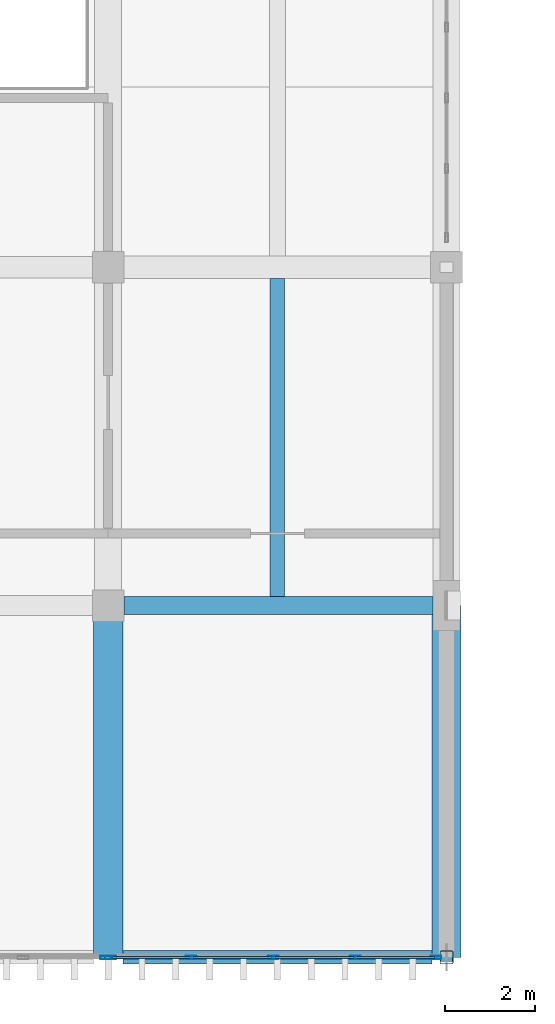
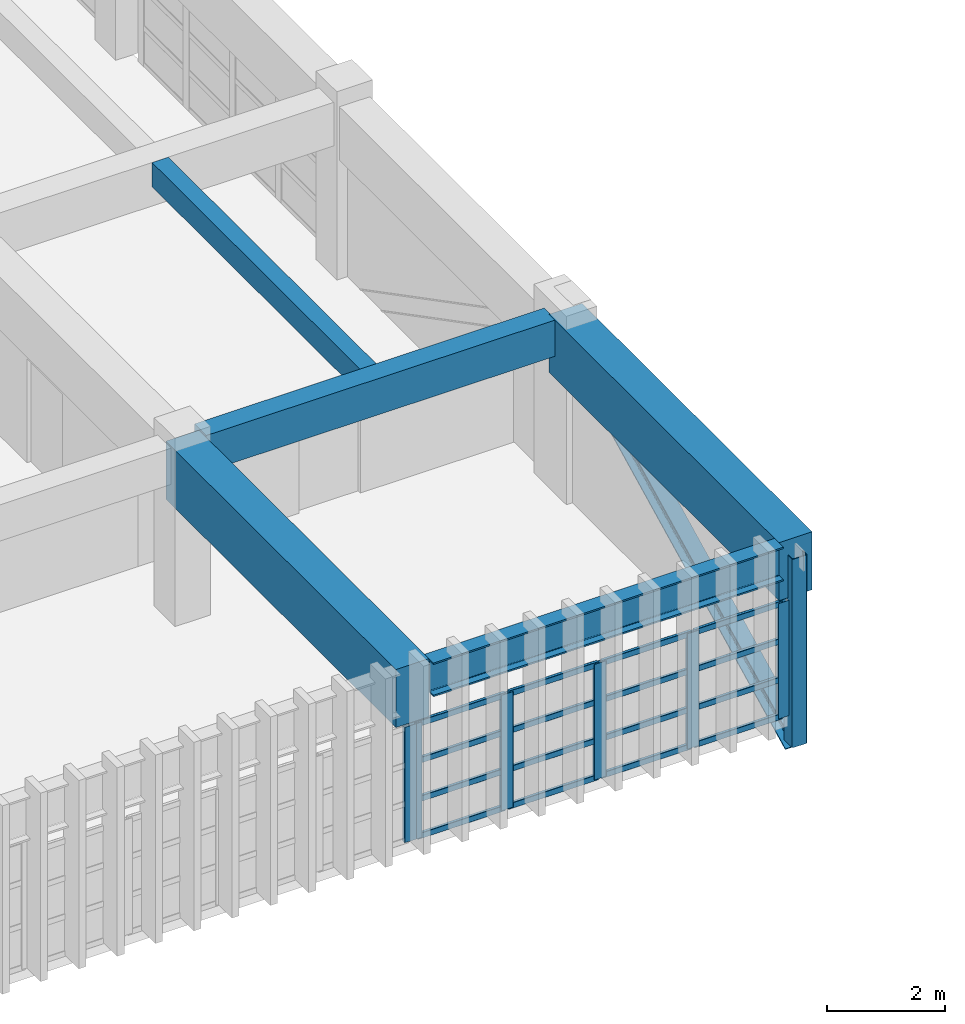
# One storey, part 31 of 82: 24 members, 5 beams, 2 elements without a shape of their own.
"""IFC4 building model written with IfcOpenShell, lengths in metres."""

from ifc_helpers import new_model, si_unit, direction, frame, origin, origin_2d, place, context, subcontext, project, spatial, rectangle, hollow_rectangle, i_section, extrude, material, material_profile, profile_set, type_object, element, aggregate, save


model = new_model("IFC4")

# Units and contexts
model_context = context("Model", 3, precision=1e-05, world=origin(), true_north=direction((0.0, 1.0)))
body_context = subcontext(model_context, "Body", "Model", "MODEL_VIEW")
ifc_project = project(units=[si_unit("LENGTHUNIT", "METRE"), si_unit("AREAUNIT", "SQUARE_METRE"), si_unit("VOLUMEUNIT", "CUBIC_METRE"), si_unit("PLANEANGLEUNIT", "RADIAN"), si_unit("MASSUNIT", "GRAM", prefix="KILO")], contexts=[model_context])

# Site, building, storey
site_placement = place(None, origin())
site = spatial("IfcSite", under=ifc_project, at=site_placement, CompositionType="ELEMENT")
building_placement = place(site_placement, origin())
building = spatial("IfcBuilding", under=site, at=building_placement, Name="Qasida Concert Hall", CompositionType="ELEMENT")
storey_placement = place(building_placement, frame((0.0, 0.0, 17.10009765625)))
storey = spatial("IfcBuildingStorey", under=building, at=storey_placement, Name="L04", CompositionType="ELEMENT", Elevation=17.10009765625)

# Beams
ifc_material_1 = material(Name="Steel S355J2", Category="steel")
ifc_material_profile_1 = material_profile(ifc_material_1, i_section(OverallWidth=0.300048828125, OverallDepth=0.699951171875, WebThickness=0.01708984375, FlangeThickness=0.031982421875, FilletRadius=0.027099609375, at=origin_2d()), Name="HEB 700")
ifc_profile_set_1 = profile_set([ifc_material_profile_1], Name="Steel S355J2")
beam_type_1 = type_object("IfcBeamType", Name="BM-B7", PredefinedType="BEAM", material=ifc_profile_set_1)
beam_1_placement = place(storey_placement, frame((97.824951171875, 14.699951171875, 3.27001953125), z_axis=(1.0, 0.0, 0.0), x_axis=(0.0, 1.0, 0.0)))
element("IfcBeam", 1, at=beam_1_placement, inside=storey, type_object=beam_type_1, Name="Front overhang fascia beam 028", PredefinedType="BEAM", context=body_context, shape_type="SweptSolid", body=[
    extrude(i_section(OverallWidth=0.300048828125, OverallDepth=0.699951171875, WebThickness=0.01708984375, FlangeThickness=0.031982421875, FilletRadius=0.027099609375, at=origin_2d()), origin(), (0.0, 0.0, 1.0), 6.85009765625),
])
ifc_material_2 = material(Name="Concrete C50/60", Category="concrete")
ifc_material_profile_2 = material_profile(ifc_material_2, rectangle(XDim=0.64990234375, YDim=1.199951171875, at=origin_2d()), Name="RC 650x1200")
ifc_profile_set_2 = profile_set([ifc_material_profile_2], Name="Concrete C50/60")
beam_type_2 = type_object("IfcBeamType", Name="BM-CG-1200", PredefinedType="USERDEFINED", material=ifc_profile_set_2)
for number, where, z_axis, x_axis, name in (
    (2, (97.5, 22.5, 3.02001953125), (0.0, -1.0, 0.0), (1.0, 0.0, 0.0), "Cantilever girder CG-024"),
    (3, (105.0, 22.5, 3.02001953125), (0.0, -1.0, 0.0), (1.0, 0.0, 0.0), "Cantilever girder CG-025"),
):
    element("IfcBeam", number, at=place(storey_placement, frame(where, z_axis=z_axis, x_axis=x_axis)), inside=storey, type_object=beam_type_2, Name=name, ObjectType="GIRDER", PredefinedType="USERDEFINED", context=body_context, shape_type="SweptSolid", body=[
        extrude(rectangle(XDim=0.64990234375, YDim=1.199951171875, at=origin_2d()), origin(), (0.0, 0.0, 1.0), 7.800048828125),
    ])
ifc_material_3 = material(Name="Concrete C40/50", Category="concrete")
ifc_material_profile_3 = material_profile(ifc_material_3, rectangle(XDim=0.320068359375, YDim=0.5, at=origin_2d()), Name="RC 320x500")
ifc_profile_set_3 = profile_set([ifc_material_profile_3], Name="Concrete C40/50")
beam_type_3 = type_object("IfcBeamType", Name="BM-J7", PredefinedType="JOIST", material=ifc_profile_set_3)
beam_2_placement = place(storey_placement, frame((101.25, 22.699951171875, 3.369873046875), z_axis=(0.0, 1.0, 0.0), x_axis=(-1.0, 0.0, 0.0)))
element("IfcBeam", 4, at=beam_2_placement, inside=storey, type_object=beam_type_3, Name="L04 secondary joist 1886", PredefinedType="JOIST", context=body_context, shape_type="SweptSolid", body=[
    extrude(rectangle(XDim=0.320068359375, YDim=0.5, at=origin_2d()), origin(), (0.0, 0.0, 1.0), 7.050048828125),
])
ifc_material_profile_4 = material_profile(ifc_material_3, rectangle(XDim=0.39990234375, YDim=0.75, at=origin_2d()), Name="RC 400x750")
ifc_profile_set_4 = profile_set([ifc_material_profile_4], Name="Concrete C40/50")
beam_type_4 = type_object("IfcBeamType", Name="BM-SP1", PredefinedType="SPANDREL", material=ifc_profile_set_4)
beam_3_placement = place(storey_placement, frame((97.85009765625, 22.5, 3.244873046875), z_axis=(1.0, 0.0, 0.0), x_axis=(0.0, 1.0, 0.0)))
element("IfcBeam", 5, at=beam_3_placement, inside=storey, type_object=beam_type_4, Name="Primary girder 1809", PredefinedType="SPANDREL", context=body_context, shape_type="SweptSolid", body=[
    extrude(rectangle(XDim=0.39990234375, YDim=0.75, at=origin_2d()), origin(), (0.0, 0.0, 1.0), 6.849853515625),
])

# Member
ifc_material_profile_5 = material_profile(ifc_material_1, i_section(OverallWidth=0.300048828125, OverallDepth=0.39990234375, WebThickness=0.013427734375, FlangeThickness=0.02392578125, FilletRadius=0.027099609375, at=origin_2d()), Name="HEB 400")
ifc_profile_set_5 = profile_set([ifc_material_profile_5], Name="Steel S355J2")
member_type_1 = type_object("IfcMemberType", Name="MB-CH1", PredefinedType="CHORD", material=ifc_profile_set_5)
member_1_placement = place(storey_placement, frame((105.0, 22.5, 3.2998046875), z_axis=(0.0, -0.894432790058, -0.447202397208), x_axis=(1.0, 0.0, 0.0)))
element("IfcMember", 6, at=member_1_placement, inside=storey, type_object=member_type_1, Name="Wall truss diagonal WT-E-027", PredefinedType="CHORD", context=body_context, shape_type="SweptSolid", body=[
    extrude(i_section(OverallWidth=0.300048828125, OverallDepth=0.39990234375, WebThickness=0.013427734375, FlangeThickness=0.02392578125, FilletRadius=0.027099609375, at=origin_2d()), origin(), (0.0, 0.0, 1.0), 8.720703125),
])

# Curtain wall, member
ifc_material_4 = material(Name="Architectural bronze-anodized aluminium and low-E glass", Category="aluminium")
curtain_wall_type = type_object("IfcCurtainWallType", Name="CW-10", PredefinedType="NOTDEFINED", material=ifc_material_4)
curtain_wall_1_placement = place(storey_placement, origin())
curtain_wall_1 = element("IfcCurtainWall", 7, at=curtain_wall_1_placement, inside=storey, type_object=curtain_wall_type, Name="L04 curtain wall CW-10 0027", PredefinedType="NOTDEFINED")
ifc_material_5 = material(Name="Architectural bronze-anodized aluminium EN AW-6063", Category="aluminium")
ifc_material_profile_6 = material_profile(ifc_material_5, hollow_rectangle(XDim=0.070068359375, YDim=0.239990234375, WallThickness=0.0048828125, InnerFilletRadius=0.0048828125, OuterFilletRadius=0.010009765625, at=origin_2d()), Name="CWM 240x70x5")
ifc_profile_set_6 = profile_set([ifc_material_profile_6], Name="Architectural bronze-anodized aluminium EN AW-6063")
member_type_2 = type_object("IfcMemberType", Name="MB-CWM-1", PredefinedType="MULLION", material=ifc_profile_set_6)
member_2_placement = place(storey_placement, frame((97.445068359375, 14.699951171875, 0.0), z_axis=(0.0, 0.0, 1.0), x_axis=(0.0, 1.0, 0.0)))
member_2 = element("IfcMember", 8, at=member_2_placement, type_object=member_type_2, Name="CW-10 mullion 5", PredefinedType="MULLION", context=body_context, shape_type="SweptSolid", body=[
    extrude(hollow_rectangle(XDim=0.070068359375, YDim=0.239990234375, WallThickness=0.0048828125, InnerFilletRadius=0.0048828125, OuterFilletRadius=0.010009765625, at=origin_2d()), origin(), (0.0, 0.0, 1.0), 2.389892578125),
])
aggregate(curtain_wall_1, [member_2])

# Curtain wall, members
curtain_wall_2_placement = place(storey_placement, origin())
curtain_wall_2 = element("IfcCurtainWall", 9, at=curtain_wall_2_placement, inside=storey, type_object=curtain_wall_type, Name="L04 curtain wall CW-10 0028", PredefinedType="NOTDEFINED")
member_3_placement = place(storey_placement, frame((97.554931640625, 14.699951171875, 0.0), z_axis=(0.0, 0.0, 1.0), x_axis=(0.0, 1.0, 0.0)))
member_3 = element("IfcMember", 10, at=member_3_placement, type_object=member_type_2, Name="CW-10 mullion 1", PredefinedType="MULLION", context=body_context, shape_type="SweptSolid", body=[
    extrude(hollow_rectangle(XDim=0.070068359375, YDim=0.239990234375, WallThickness=0.0048828125, InnerFilletRadius=0.0048828125, OuterFilletRadius=0.010009765625, at=origin_2d()), origin(), (0.0, 0.0, 1.0), 2.389892578125),
])
member_4_placement = place(storey_placement, frame((99.340087890625, 14.699951171875, 0.0), z_axis=(0.0, 0.0, 1.0), x_axis=(0.0, 1.0, 0.0)))
member_4 = element("IfcMember", 11, at=member_4_placement, type_object=member_type_2, Name="CW-10 mullion 2", PredefinedType="MULLION", context=body_context, shape_type="SweptSolid", body=[
    extrude(hollow_rectangle(XDim=0.070068359375, YDim=0.239990234375, WallThickness=0.0048828125, InnerFilletRadius=0.0048828125, OuterFilletRadius=0.010009765625, at=origin_2d()), origin(), (0.0, 0.0, 1.0), 2.389892578125),
])
member_5_placement = place(storey_placement, frame((101.159912109375, 14.699951171875, 0.0), z_axis=(0.0, 0.0, 1.0), x_axis=(0.0, 1.0, 0.0)))
member_5 = element("IfcMember", 12, at=member_5_placement, type_object=member_type_2, Name="CW-10 mullion 3", PredefinedType="MULLION", context=body_context, shape_type="SweptSolid", body=[
    extrude(hollow_rectangle(XDim=0.070068359375, YDim=0.239990234375, WallThickness=0.0048828125, InnerFilletRadius=0.0048828125, OuterFilletRadius=0.010009765625, at=origin_2d()), origin(), (0.0, 0.0, 1.0), 2.389892578125),
])
member_6_placement = place(storey_placement, frame((102.97998046875, 14.699951171875, 0.0), z_axis=(0.0, 0.0, 1.0), x_axis=(0.0, 1.0, 0.0)))
member_6 = element("IfcMember", 13, at=member_6_placement, type_object=member_type_2, Name="CW-10 mullion 4", PredefinedType="MULLION", context=body_context, shape_type="SweptSolid", body=[
    extrude(hollow_rectangle(XDim=0.070068359375, YDim=0.239990234375, WallThickness=0.0048828125, InnerFilletRadius=0.0048828125, OuterFilletRadius=0.010009765625, at=origin_2d()), origin(), (0.0, 0.0, 1.0), 2.389892578125),
])
member_7_placement = place(storey_placement, frame((104.764892578125, 14.699951171875, 0.0), z_axis=(0.0, 0.0, 1.0), x_axis=(0.0, 1.0, 0.0)))
member_7 = element("IfcMember", 14, at=member_7_placement, type_object=member_type_2, Name="CW-10 mullion 5", PredefinedType="MULLION", context=body_context, shape_type="SweptSolid", body=[
    extrude(hollow_rectangle(XDim=0.070068359375, YDim=0.239990234375, WallThickness=0.0048828125, InnerFilletRadius=0.0048828125, OuterFilletRadius=0.010009765625, at=origin_2d()), origin(), (0.0, 0.0, 1.0), 2.389892578125),
])
ifc_material_profile_7 = material_profile(ifc_material_5, hollow_rectangle(XDim=0.06005859375, YDim=0.1201171875, WallThickness=0.00390625, InnerFilletRadius=0.00390625, OuterFilletRadius=0.008056640625, at=origin_2d()), Name="CWT 120x60x4")
ifc_profile_set_7 = profile_set([ifc_material_profile_7], Name="Architectural bronze-anodized aluminium EN AW-6063")
member_type_3 = type_object("IfcMemberType", Name="MB-CWT-2", PredefinedType="USERDEFINED", material=ifc_profile_set_7)
member_8_placement = place(storey_placement, frame((97.590087890625, 14.699951171875, 0.02978515625), z_axis=(1.0, 0.0, 0.0), x_axis=(0.0, 1.0, 0.0)))
member_8 = element("IfcMember", 15, at=member_8_placement, type_object=member_type_3, Name="CW-10 transom 1.1", ObjectType="TRANSOM", PredefinedType="USERDEFINED", context=body_context, shape_type="SweptSolid", body=[
    extrude(hollow_rectangle(XDim=0.06005859375, YDim=0.1201171875, WallThickness=0.00390625, InnerFilletRadius=0.00390625, OuterFilletRadius=0.008056640625, at=origin_2d()), origin(), (0.0, 0.0, 1.0), 1.71484375),
])
member_9_placement = place(storey_placement, frame((97.590087890625, 14.699951171875, 0.796630859375), z_axis=(1.0, 0.0, 0.0), x_axis=(0.0, 1.0, 0.0)))
member_9 = element("IfcMember", 16, at=member_9_placement, type_object=member_type_3, Name="CW-10 transom 1.2", ObjectType="TRANSOM", PredefinedType="USERDEFINED", context=body_context, shape_type="SweptSolid", body=[
    extrude(hollow_rectangle(XDim=0.06005859375, YDim=0.1201171875, WallThickness=0.00390625, InnerFilletRadius=0.00390625, OuterFilletRadius=0.008056640625, at=origin_2d()), origin(), (0.0, 0.0, 1.0), 1.71484375),
])
member_10_placement = place(storey_placement, frame((97.590087890625, 14.699951171875, 1.59326171875), z_axis=(1.0, 0.0, 0.0), x_axis=(0.0, 1.0, 0.0)))
member_10 = element("IfcMember", 17, at=member_10_placement, type_object=member_type_3, Name="CW-10 transom 1.3", ObjectType="TRANSOM", PredefinedType="USERDEFINED", context=body_context, shape_type="SweptSolid", body=[
    extrude(hollow_rectangle(XDim=0.06005859375, YDim=0.1201171875, WallThickness=0.00390625, InnerFilletRadius=0.00390625, OuterFilletRadius=0.008056640625, at=origin_2d()), origin(), (0.0, 0.0, 1.0), 1.71484375),
])
member_11_placement = place(storey_placement, frame((97.590087890625, 14.699951171875, 2.35986328125), z_axis=(1.0, 0.0, 0.0), x_axis=(0.0, 1.0, 0.0)))
member_11 = element("IfcMember", 18, at=member_11_placement, type_object=member_type_3, Name="CW-10 transom 1.4", ObjectType="TRANSOM", PredefinedType="USERDEFINED", context=body_context, shape_type="SweptSolid", body=[
    extrude(hollow_rectangle(XDim=0.06005859375, YDim=0.1201171875, WallThickness=0.00390625, InnerFilletRadius=0.00390625, OuterFilletRadius=0.008056640625, at=origin_2d()), origin(), (0.0, 0.0, 1.0), 1.71484375),
])
member_12_placement = place(storey_placement, frame((99.375, 14.699951171875, 0.02978515625), z_axis=(1.0, 0.0, 0.0), x_axis=(0.0, 1.0, 0.0)))
member_12 = element("IfcMember", 19, at=member_12_placement, type_object=member_type_3, Name="CW-10 transom 2.1", ObjectType="TRANSOM", PredefinedType="USERDEFINED", context=body_context, shape_type="SweptSolid", body=[
    extrude(hollow_rectangle(XDim=0.06005859375, YDim=0.1201171875, WallThickness=0.00390625, InnerFilletRadius=0.00390625, OuterFilletRadius=0.008056640625, at=origin_2d()), origin(), (0.0, 0.0, 1.0), 1.75),
])
member_13_placement = place(storey_placement, frame((99.375, 14.699951171875, 0.796630859375), z_axis=(1.0, 0.0, 0.0), x_axis=(0.0, 1.0, 0.0)))
member_13 = element("IfcMember", 20, at=member_13_placement, type_object=member_type_3, Name="CW-10 transom 2.2", ObjectType="TRANSOM", PredefinedType="USERDEFINED", context=body_context, shape_type="SweptSolid", body=[
    extrude(hollow_rectangle(XDim=0.06005859375, YDim=0.1201171875, WallThickness=0.00390625, InnerFilletRadius=0.00390625, OuterFilletRadius=0.008056640625, at=origin_2d()), origin(), (0.0, 0.0, 1.0), 1.75),
])
member_14_placement = place(storey_placement, frame((99.375, 14.699951171875, 1.59326171875), z_axis=(1.0, 0.0, 0.0), x_axis=(0.0, 1.0, 0.0)))
member_14 = element("IfcMember", 21, at=member_14_placement, type_object=member_type_3, Name="CW-10 transom 2.3", ObjectType="TRANSOM", PredefinedType="USERDEFINED", context=body_context, shape_type="SweptSolid", body=[
    extrude(hollow_rectangle(XDim=0.06005859375, YDim=0.1201171875, WallThickness=0.00390625, InnerFilletRadius=0.00390625, OuterFilletRadius=0.008056640625, at=origin_2d()), origin(), (0.0, 0.0, 1.0), 1.75),
])
member_15_placement = place(storey_placement, frame((99.375, 14.699951171875, 2.35986328125), z_axis=(1.0, 0.0, 0.0), x_axis=(0.0, 1.0, 0.0)))
member_15 = element("IfcMember", 22, at=member_15_placement, type_object=member_type_3, Name="CW-10 transom 2.4", ObjectType="TRANSOM", PredefinedType="USERDEFINED", context=body_context, shape_type="SweptSolid", body=[
    extrude(hollow_rectangle(XDim=0.06005859375, YDim=0.1201171875, WallThickness=0.00390625, InnerFilletRadius=0.00390625, OuterFilletRadius=0.008056640625, at=origin_2d()), origin(), (0.0, 0.0, 1.0), 1.75),
])
member_16_placement = place(storey_placement, frame((101.195068359375, 14.699951171875, 0.02978515625), z_axis=(1.0, 0.0, 0.0), x_axis=(0.0, 1.0, 0.0)))
member_16 = element("IfcMember", 23, at=member_16_placement, type_object=member_type_3, Name="CW-10 transom 3.1", ObjectType="TRANSOM", PredefinedType="USERDEFINED", context=body_context, shape_type="SweptSolid", body=[
    extrude(hollow_rectangle(XDim=0.06005859375, YDim=0.1201171875, WallThickness=0.00390625, InnerFilletRadius=0.00390625, OuterFilletRadius=0.008056640625, at=origin_2d()), origin(), (0.0, 0.0, 1.0), 1.75),
])
member_17_placement = place(storey_placement, frame((101.195068359375, 14.699951171875, 0.796630859375), z_axis=(1.0, 0.0, 0.0), x_axis=(0.0, 1.0, 0.0)))
member_17 = element("IfcMember", 24, at=member_17_placement, type_object=member_type_3, Name="CW-10 transom 3.2", ObjectType="TRANSOM", PredefinedType="USERDEFINED", context=body_context, shape_type="SweptSolid", body=[
    extrude(hollow_rectangle(XDim=0.06005859375, YDim=0.1201171875, WallThickness=0.00390625, InnerFilletRadius=0.00390625, OuterFilletRadius=0.008056640625, at=origin_2d()), origin(), (0.0, 0.0, 1.0), 1.75),
])
member_18_placement = place(storey_placement, frame((101.195068359375, 14.699951171875, 1.59326171875), z_axis=(1.0, 0.0, 0.0), x_axis=(0.0, 1.0, 0.0)))
member_18 = element("IfcMember", 25, at=member_18_placement, type_object=member_type_3, Name="CW-10 transom 3.3", ObjectType="TRANSOM", PredefinedType="USERDEFINED", context=body_context, shape_type="SweptSolid", body=[
    extrude(hollow_rectangle(XDim=0.06005859375, YDim=0.1201171875, WallThickness=0.00390625, InnerFilletRadius=0.00390625, OuterFilletRadius=0.008056640625, at=origin_2d()), origin(), (0.0, 0.0, 1.0), 1.75),
])
member_19_placement = place(storey_placement, frame((101.195068359375, 14.699951171875, 2.35986328125), z_axis=(1.0, 0.0, 0.0), x_axis=(0.0, 1.0, 0.0)))
member_19 = element("IfcMember", 26, at=member_19_placement, type_object=member_type_3, Name="CW-10 transom 3.4", ObjectType="TRANSOM", PredefinedType="USERDEFINED", context=body_context, shape_type="SweptSolid", body=[
    extrude(hollow_rectangle(XDim=0.06005859375, YDim=0.1201171875, WallThickness=0.00390625, InnerFilletRadius=0.00390625, OuterFilletRadius=0.008056640625, at=origin_2d()), origin(), (0.0, 0.0, 1.0), 1.75),
])
member_20_placement = place(storey_placement, frame((103.014892578125, 14.699951171875, 0.02978515625), z_axis=(1.0, 0.0, 0.0), x_axis=(0.0, 1.0, 0.0)))
member_20 = element("IfcMember", 27, at=member_20_placement, type_object=member_type_3, Name="CW-10 transom 4.1", ObjectType="TRANSOM", PredefinedType="USERDEFINED", context=body_context, shape_type="SweptSolid", body=[
    extrude(hollow_rectangle(XDim=0.06005859375, YDim=0.1201171875, WallThickness=0.00390625, InnerFilletRadius=0.00390625, OuterFilletRadius=0.008056640625, at=origin_2d()), origin(), (0.0, 0.0, 1.0), 1.715087890625),
])
member_21_placement = place(storey_placement, frame((103.014892578125, 14.699951171875, 0.796630859375), z_axis=(1.0, 0.0, 0.0), x_axis=(0.0, 1.0, 0.0)))
member_21 = element("IfcMember", 28, at=member_21_placement, type_object=member_type_3, Name="CW-10 transom 4.2", ObjectType="TRANSOM", PredefinedType="USERDEFINED", context=body_context, shape_type="SweptSolid", body=[
    extrude(hollow_rectangle(XDim=0.06005859375, YDim=0.1201171875, WallThickness=0.00390625, InnerFilletRadius=0.00390625, OuterFilletRadius=0.008056640625, at=origin_2d()), origin(), (0.0, 0.0, 1.0), 1.715087890625),
])
member_22_placement = place(storey_placement, frame((103.014892578125, 14.699951171875, 1.59326171875), z_axis=(1.0, 0.0, 0.0), x_axis=(0.0, 1.0, 0.0)))
member_22 = element("IfcMember", 29, at=member_22_placement, type_object=member_type_3, Name="CW-10 transom 4.3", ObjectType="TRANSOM", PredefinedType="USERDEFINED", context=body_context, shape_type="SweptSolid", body=[
    extrude(hollow_rectangle(XDim=0.06005859375, YDim=0.1201171875, WallThickness=0.00390625, InnerFilletRadius=0.00390625, OuterFilletRadius=0.008056640625, at=origin_2d()), origin(), (0.0, 0.0, 1.0), 1.715087890625),
])
member_23_placement = place(storey_placement, frame((103.014892578125, 14.699951171875, 2.35986328125), z_axis=(1.0, 0.0, 0.0), x_axis=(0.0, 1.0, 0.0)))
member_23 = element("IfcMember", 30, at=member_23_placement, type_object=member_type_3, Name="CW-10 transom 4.4", ObjectType="TRANSOM", PredefinedType="USERDEFINED", context=body_context, shape_type="SweptSolid", body=[
    extrude(hollow_rectangle(XDim=0.06005859375, YDim=0.1201171875, WallThickness=0.00390625, InnerFilletRadius=0.00390625, OuterFilletRadius=0.008056640625, at=origin_2d()), origin(), (0.0, 0.0, 1.0), 1.715087890625),
])
aggregate(curtain_wall_2, [member_3, member_4, member_5, member_6, member_7, member_8, member_9, member_10, member_11, member_12, member_13, member_14, member_15, member_16, member_17, member_18, member_19, member_20, member_21, member_22, member_23])

# Member
ifc_material_profile_8 = material_profile(ifc_material_1, hollow_rectangle(XDim=0.300048828125, YDim=0.300048828125, WallThickness=0.01611328125, InnerFilletRadius=0.01611328125, OuterFilletRadius=0.031982421875, at=origin_2d()), Name="SHS 300x300x16")
ifc_profile_set_8 = profile_set([ifc_material_profile_8], Name="Steel S355J2")
member_type_4 = type_object("IfcMemberType", Name="MB-ST4", PredefinedType="STRUT", material=ifc_profile_set_8)
member_24_placement = place(storey_placement, frame((105.0, 14.699951171875, -0.60009765625), z_axis=(0.0, 0.0, 1.0), x_axis=(1.0, 0.0, 0.0)))
element("IfcMember", 31, at=member_24_placement, inside=storey, type_object=member_type_4, Name="Wall truss post WT-E-026", PredefinedType="STRUT", context=body_context, shape_type="SweptSolid", body=[
    extrude(hollow_rectangle(XDim=0.300048828125, YDim=0.300048828125, WallThickness=0.01611328125, InnerFilletRadius=0.01611328125, OuterFilletRadius=0.031982421875, at=origin_2d()), origin(), (0.0, 0.0, 1.0), 3.89990234375),
])

save(model, "model.ifc")
